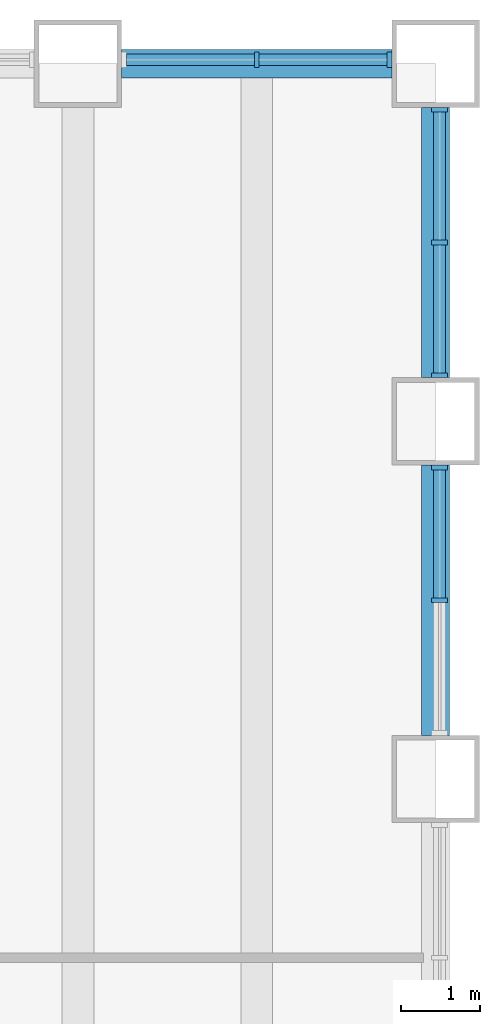
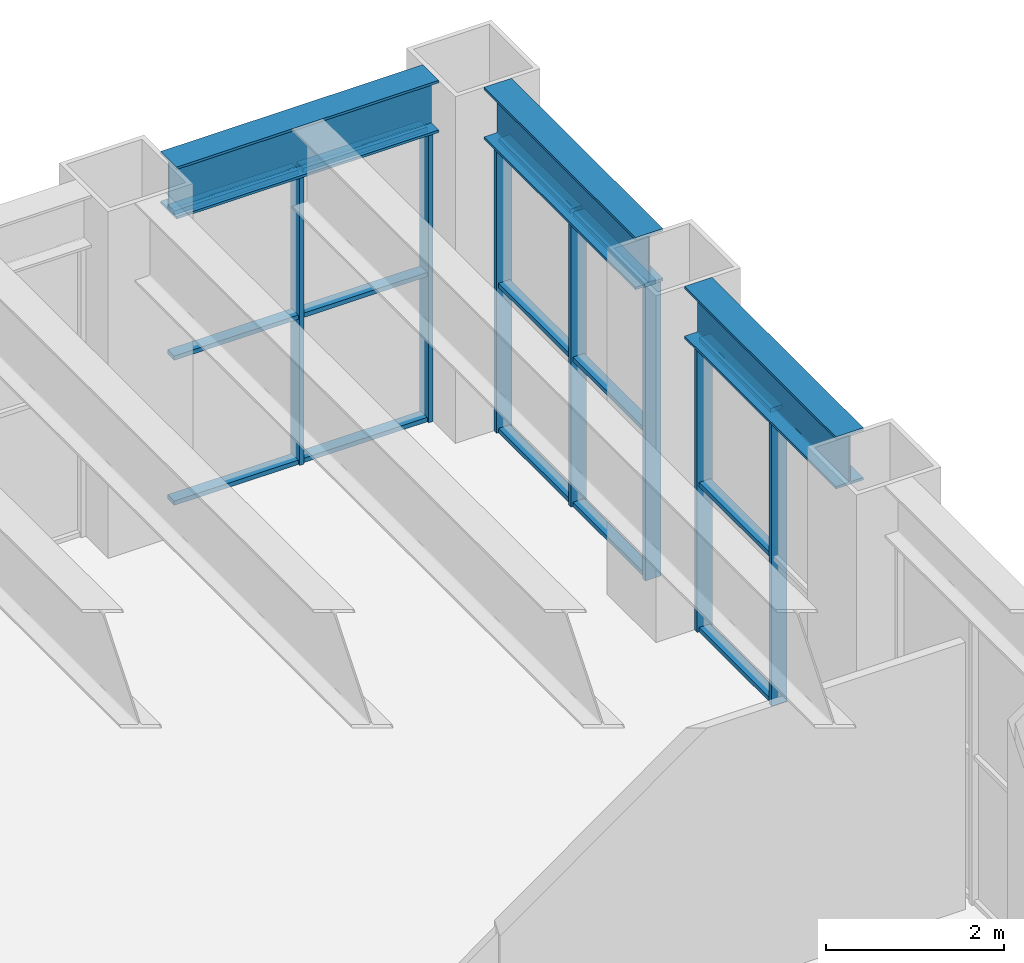
# One storey, part 5 of 19: 22 members, 3 beams, 3 elements without a shape of their own.
"""IFC4 building model written with IfcOpenShell, lengths in metres."""

import ifcopenshell
import ifcopenshell.guid

model = None  # the IFC model being written
_history = None  # IfcOwnerHistory: only IFC2X3 demands one
_inside = {}  # id of a spatial element -> (the spatial element, [elements in it])
_under = {}  # id of a project, library or spatial element -> (it, [spatial elements below it])
_declared = {}  # id of a project -> (the project, [libraries it declares])
_typed = {}  # id of a type object -> (the type object, [elements of that type])
_made_of = {}  # id of a material, layer set ... -> (it, [elements and type objects made of it])


def new_model(schema):
    """Start an empty IFC model of exactly this schema.

    Asked for "IFC4X3", IfcOpenShell would pick the latest addendum, in which some entities
    have other attributes; the version numbers below select the first issue.
    IFC2X3 requires an IfcOwnerHistory on every rooted entity: one is made here for all.
    """
    global model, _history
    if schema == "IFC4X3":
        model = ifcopenshell.file(schema_version=(4, 3, 0, 0))
    else:
        model = ifcopenshell.file(schema=schema)
    _inside.clear()
    _under.clear()
    _declared.clear()
    _typed.clear()
    _made_of.clear()
    _history = None
    if model.schema == "IFC2X3":
        org = make("IfcOrganization", Name="unknown")
        user = make(
            "IfcPersonAndOrganization",
            ThePerson=make("IfcPerson", FamilyName="unknown"),
            TheOrganization=org,
        )
        app = make(
            "IfcApplication",
            ApplicationDeveloper=org,
            Version="unknown",
            ApplicationFullName="unknown",
            ApplicationIdentifier="unknown",
        )
        _history = make(
            "IfcOwnerHistory",
            OwningUser=user,
            OwningApplication=app,
            ChangeAction="ADDED",
            CreationDate=0,
        )
    return model


def make(cls, **values):
    """One entity of the class cls with the attributes given. An attribute that is None is left unset."""
    return model.create_entity(
        cls, **{name: value for name, value in values.items() if value is not None}
    )


def rooted(cls, **values):
    """An entity with a GlobalId (a new one), such as an element, a storey or a relation."""
    return make(cls, GlobalId=ifcopenshell.guid.new(), OwnerHistory=_history, **values)


def si_unit(unit_type, name, prefix=None):
    """IfcSIUnit, for example si_unit("LENGTHUNIT", "METRE", prefix="MILLI")."""
    return make("IfcSIUnit", UnitType=unit_type, Prefix=prefix, Name=name)


def assignment(units):
    """IfcUnitAssignment: the units of a project."""
    return None if units is None else make("IfcUnitAssignment", Units=units)


def point(xyz):
    """IfcCartesianPoint."""
    return None if xyz is None else make("IfcCartesianPoint", Coordinates=xyz)


def direction(xyz):
    """IfcDirection."""
    return None if xyz is None else make("IfcDirection", DirectionRatios=xyz)


def frame(location, z_axis=None, x_axis=None):
    """IfcAxis2Placement3D, a coordinate frame: its origin and axes. An axis left out is left unset."""
    return make(
        "IfcAxis2Placement3D",
        Location=point(location),
        Axis=direction(z_axis),
        RefDirection=direction(x_axis),
    )


def frame_2d(location, x_axis=None):
    """IfcAxis2Placement2D, a coordinate frame in the plane: its origin and x axis."""
    return make(
        "IfcAxis2Placement2D", Location=point(location), RefDirection=direction(x_axis)
    )


def origin():
    """The frame at (0, 0, 0) with its axes left unset."""
    return frame((0.0, 0.0, 0.0))


def origin_2d():
    """The frame at (0, 0) in the plane with its x axis left unset."""
    return frame_2d((0.0, 0.0))


def place(relative_to, where):
    """IfcLocalPlacement: puts the frame where relative to a parent placement (None: the world)."""
    return make(
        "IfcLocalPlacement", PlacementRelTo=relative_to, RelativePlacement=where
    )


def context(
    kind, dimensions, precision=None, world=None, true_north=None, identifier=None
):
    """IfcGeometricRepresentationContext, for example the 3D "Model" context."""
    return make(
        "IfcGeometricRepresentationContext",
        ContextIdentifier=identifier,
        ContextType=kind,
        CoordinateSpaceDimension=dimensions,
        Precision=precision,
        WorldCoordinateSystem=world,
        TrueNorth=true_north,
    )


def subcontext(parent, identifier, kind, view, scale=None):
    """IfcGeometricRepresentationSubContext, for example "Body" below "Model"."""
    return make(
        "IfcGeometricRepresentationSubContext",
        ContextIdentifier=identifier,
        ContextType=kind,
        ParentContext=parent,
        TargetScale=scale,
        TargetView=view,
    )


def project(units=None, contexts=None):
    """IfcProject with its units and contexts."""
    return rooted(
        "IfcProject",
        Name="project",
        RepresentationContexts=contexts,
        UnitsInContext=assignment(units),
    )


def spatial(cls, under=None, at=None, **own):
    """A site, building, storey or space (cls), placed at a placement, below another one or the project."""
    s = rooted(cls, ObjectPlacement=at, **own)
    if under is not None:
        _under.setdefault(under.id(), (under, []))[1].append(s)
    return s


def profile(cls, at=None, kind="AREA", **sizes):
    """A parametric profile (cls). Its sizes go by their IFC names, for example OverallWidth=200.0."""
    return make(cls, ProfileType=kind, Position=at, **sizes)


def rectangle(**sizes):
    """IfcRectangleProfileDef."""
    return profile("IfcRectangleProfileDef", **sizes)


def i_section(**sizes):
    """IfcIShapeProfileDef."""
    return profile("IfcIShapeProfileDef", **sizes)


def extrude(swept, where, along, depth):
    """IfcExtrudedAreaSolid: the profile swept, set in the frame where, extruded along a direction by depth."""
    return make(
        "IfcExtrudedAreaSolid",
        SweptArea=swept,
        Position=where,
        ExtrudedDirection=direction(along),
        Depth=depth,
    )


def shape(context_of_items, identifier, shape_type, items):
    """IfcShapeRepresentation: the items that make up one representation, for example the "Body"."""
    return make(
        "IfcShapeRepresentation",
        ContextOfItems=context_of_items,
        RepresentationIdentifier=identifier,
        RepresentationType=shape_type,
        Items=items,
    )


def material(Name=None, Category=None):
    """IfcMaterial."""
    return make("IfcMaterial", Name=Name, Category=Category)


def material_profile(
    of_material, cross_section, Name=None, Category=None, Priority=None
):
    """IfcMaterialProfile: a cross section and its material."""
    return make(
        "IfcMaterialProfile",
        Name=Name,
        Material=of_material,
        Profile=cross_section,
        Priority=Priority,
        Category=Category,
    )


def profile_set(profiles, Name=None, composite=None):
    """IfcMaterialProfileSet."""
    return make(
        "IfcMaterialProfileSet",
        Name=Name,
        MaterialProfiles=profiles,
        CompositeProfile=composite,
    )


def made_of(thing, what):
    """Note that an element or type object is made of a material, layer set ...; save() writes the relation."""
    if what is not None:
        _made_of.setdefault(what.id(), (what, []))[1].append(thing)
    return thing


def type_object(cls, material=None, **own):
    """A type object (cls), such as IfcWallType, which elements share."""
    return made_of(rooted(cls, **own), material)


def element(
    cls,
    number,
    at=None,
    inside=None,
    cuts=None,
    type_object=None,
    material=None,
    context=None,
    identifier="Body",
    shape_type=None,
    held_by="IfcProductDefinitionShape",
    body=None,
    shapes=None,
    **own,
):
    """One element of the class cls, such as IfcWall. Its Tag is "e" and its number.

    at: its placement. inside: the storey or other place that contains it. cuts: it is an
    opening in that element (IfcRelVoidsElement). A single representation is given by context,
    identifier, shape_type and body (its items); several are given by shapes. held_by: the class
    of the entity that holds the representations. save() writes the other relations.
    """
    e = rooted(cls, Tag="e%d" % number, ObjectPlacement=at, **own)
    if body is not None:
        shapes = [shape(context, identifier, shape_type, body)]
    if shapes is not None:
        e.Representation = make(held_by, Representations=shapes)
    if inside is not None:
        _inside.setdefault(inside.id(), (inside, []))[1].append(e)
    if cuts is not None:
        rooted(
            "IfcRelVoidsElement", RelatingBuildingElement=cuts, RelatedOpeningElement=e
        )
    if type_object is not None:
        _typed.setdefault(type_object.id(), (type_object, []))[1].append(e)
    return made_of(e, material)


def aggregate(whole, parts):
    """IfcRelAggregates: a whole, such as a stair, and the parts it consists of."""
    return rooted("IfcRelAggregates", RelatingObject=whole, RelatedObjects=parts)


def save(model, path):
    """Write the relations noted so far, then the file.

    IfcRelAggregates (storeys below a building ...), IfcRelContainedInSpatialStructure (elements
    in a storey), IfcRelDefinesByType, IfcRelAssociatesMaterial and IfcRelDeclares: one each for
    every whole, place, type object, material and project.
    """
    for whole, parts in _under.values():
        aggregate(whole, parts)
    for where, things in _inside.values():
        rooted(
            "IfcRelContainedInSpatialStructure",
            RelatedElements=things,
            RelatingStructure=where,
        )
    for kind, things in _typed.values():
        rooted("IfcRelDefinesByType", RelatedObjects=things, RelatingType=kind)
    for what, things in _made_of.values():
        rooted("IfcRelAssociatesMaterial", RelatedObjects=things, RelatingMaterial=what)
    for by, libraries in _declared.values():
        rooted("IfcRelDeclares", RelatingContext=by, RelatedDefinitions=libraries)
    model.write(path)


model = new_model("IFC4")

# Units and contexts
model_context = context("Model", 3, precision=1e-05, world=origin(), true_north=direction((0.0, 1.0)))
body_context = subcontext(model_context, "Body", "Model", "MODEL_VIEW")
ifc_project = project(units=[si_unit("LENGTHUNIT", "METRE"), si_unit("AREAUNIT", "SQUARE_METRE"), si_unit("VOLUMEUNIT", "CUBIC_METRE"), si_unit("PLANEANGLEUNIT", "RADIAN"), si_unit("MASSUNIT", "GRAM", prefix="KILO")], contexts=[model_context])

# Site, building, storey
site_placement = place(None, origin())
site = spatial("IfcSite", under=ifc_project, at=site_placement, CompositionType="ELEMENT")
building_placement = place(site_placement, origin())
building = spatial("IfcBuilding", under=site, at=building_placement, Name="Sennacour Bend Tower", CompositionType="ELEMENT")
storey_placement = place(building_placement, frame((0.0, 0.0, 14.0)))
storey = spatial("IfcBuildingStorey", under=building, at=storey_placement, Name="L02", CompositionType="ELEMENT", Elevation=14.0)

# Curtain wall, members
ifc_material_1 = material(Name="Bronze anodised aluminium curtain wall with clear glass", Category="aluminium")
curtain_wall_type = type_object("IfcCurtainWallType", Name="CURTAIN WALL NOTCH", PredefinedType="NOTDEFINED", material=ifc_material_1)
curtain_wall_1_placement = place(storey_placement, origin())
curtain_wall_1 = element("IfcCurtainWall", 1, at=curtain_wall_1_placement, inside=storey, type_object=curtain_wall_type, Name="Podium glass wall L02", PredefinedType="NOTDEFINED")
ifc_material_2 = material(Name="Aluminium 6063-T6", Category="aluminium")
ifc_material_profile_1 = material_profile(ifc_material_2, rectangle(XDim=0.199951171875, YDim=0.06005859375, at=origin_2d()), Name="Aluminium 6063-T6", Category="aluminium")
ifc_profile_set_1 = profile_set([ifc_material_profile_1], Name="Aluminium 6063-T6")
member_type_1 = type_object("IfcMemberType", Name="CW-MULLION-200X60", PredefinedType="MULLION", material=ifc_profile_set_1)
member_1_placement = place(storey_placement, frame((67.550048828125, 42.75, 0.0), z_axis=(0.0, 0.0, 1.0), x_axis=(-1.0, 0.0, 0.0)))
member_1 = element("IfcMember", 2, at=member_1_placement, type_object=member_type_1, Name="GW2 curtain wall mullion 2", PredefinedType="MULLION", context=body_context, shape_type="SweptSolid", body=[
    extrude(rectangle(XDim=0.199951171875, YDim=0.06005859375, at=origin_2d()), origin(), (0.0, 0.0, 1.0), 4.035888671875),
])
member_2_placement = place(storey_placement, frame((67.550048828125, 44.419921875, 0.0), z_axis=(0.0, 0.0, 1.0), x_axis=(-1.0, 0.0, 0.0)))
member_2 = element("IfcMember", 3, at=member_2_placement, type_object=member_type_1, Name="GW2 curtain wall mullion 3", PredefinedType="MULLION", context=body_context, shape_type="SweptSolid", body=[
    extrude(rectangle(XDim=0.199951171875, YDim=0.06005859375, at=origin_2d()), origin(), (0.0, 0.0, 1.0), 4.035888671875),
])

curtain_wall_2_placement = place(storey_placement, origin())
curtain_wall_2 = element("IfcCurtainWall", 4, at=curtain_wall_2_placement, inside=storey, type_object=curtain_wall_type, Name="Podium glass wall L02", PredefinedType="NOTDEFINED")
member_3_placement = place(storey_placement, frame((67.550048828125, 45.580078125, 0.0), z_axis=(0.0, 0.0, 1.0), x_axis=(-1.0, 0.0, 0.0)))
member_3 = element("IfcMember", 5, at=member_3_placement, type_object=member_type_1, Name="GW2 curtain wall mullion 1", PredefinedType="MULLION", context=body_context, shape_type="SweptSolid", body=[
    extrude(rectangle(XDim=0.199951171875, YDim=0.06005859375, at=origin_2d()), origin(), (0.0, 0.0, 1.0), 4.035888671875),
])
member_4_placement = place(storey_placement, frame((67.550048828125, 47.25, 0.0), z_axis=(0.0, 0.0, 1.0), x_axis=(-1.0, 0.0, 0.0)))
member_4 = element("IfcMember", 6, at=member_4_placement, type_object=member_type_1, Name="GW2 curtain wall mullion 2", PredefinedType="MULLION", context=body_context, shape_type="SweptSolid", body=[
    extrude(rectangle(XDim=0.199951171875, YDim=0.06005859375, at=origin_2d()), origin(), (0.0, 0.0, 1.0), 4.035888671875),
])
member_5_placement = place(storey_placement, frame((67.550048828125, 48.919921875, 0.0), z_axis=(0.0, 0.0, 1.0), x_axis=(-1.0, 0.0, 0.0)))
member_5 = element("IfcMember", 7, at=member_5_placement, type_object=member_type_1, Name="GW2 curtain wall mullion 3", PredefinedType="MULLION", context=body_context, shape_type="SweptSolid", body=[
    extrude(rectangle(XDim=0.199951171875, YDim=0.06005859375, at=origin_2d()), origin(), (0.0, 0.0, 1.0), 4.035888671875),
])

curtain_wall_3_placement = place(storey_placement, origin())
curtain_wall_3 = element("IfcCurtainWall", 8, at=curtain_wall_3_placement, inside=storey, type_object=curtain_wall_type, Name="Podium glass wall L02", PredefinedType="NOTDEFINED")
member_6_placement = place(storey_placement, frame((66.919921875, 49.550048828125, 0.0), z_axis=(0.0, 0.0, 1.0), x_axis=(0.0, -1.0, 0.0)))
member_6 = element("IfcMember", 9, at=member_6_placement, type_object=member_type_1, Name="GW2 curtain wall mullion 1", PredefinedType="MULLION", context=body_context, shape_type="SweptSolid", body=[
    extrude(rectangle(XDim=0.199951171875, YDim=0.06005859375, at=origin_2d()), origin(), (0.0, 0.0, 1.0), 4.035888671875),
])
member_7_placement = place(storey_placement, frame((65.25, 49.550048828125, 0.0), z_axis=(0.0, 0.0, 1.0), x_axis=(0.0, -1.0, 0.0)))
member_7 = element("IfcMember", 10, at=member_7_placement, type_object=member_type_1, Name="GW2 curtain wall mullion 2", PredefinedType="MULLION", context=body_context, shape_type="SweptSolid", body=[
    extrude(rectangle(XDim=0.199951171875, YDim=0.06005859375, at=origin_2d()), origin(), (0.0, 0.0, 1.0), 4.035888671875),
])

# Member
ifc_material_profile_2 = material_profile(ifc_material_2, rectangle(XDim=0.14990234375, YDim=0.06005859375, at=origin_2d()), Name="Aluminium 6063-T6", Category="aluminium")
ifc_profile_set_2 = profile_set([ifc_material_profile_2], Name="Aluminium 6063-T6")
member_type_2 = type_object("IfcMemberType", Name="CW-TRANSOM-150X60", PredefinedType="USERDEFINED", material=ifc_profile_set_2)
member_8_placement = place(storey_placement, frame((67.550048828125, 42.780029296875, 0.030029296875), z_axis=(0.0, 1.0, 0.0), x_axis=(-1.0, 0.0, 0.0)))
member_8 = element("IfcMember", 11, at=member_8_placement, type_object=member_type_2, Name="GW2 curtain wall transom 2.1", ObjectType="TRANSOM", PredefinedType="USERDEFINED", context=body_context, shape_type="SweptSolid", body=[
    extrude(rectangle(XDim=0.14990234375, YDim=0.06005859375, at=origin_2d()), origin(), (0.0, 0.0, 1.0), 1.60986328125),
])

member_9_placement = place(storey_placement, frame((67.550048828125, 42.780029296875, 2.01806640625), z_axis=(0.0, 1.0, 0.0), x_axis=(-1.0, 0.0, 0.0)))
member_9 = element("IfcMember", 12, at=member_9_placement, type_object=member_type_2, Name="GW2 curtain wall transom 2.2", ObjectType="TRANSOM", PredefinedType="USERDEFINED", context=body_context, shape_type="SweptSolid", body=[
    extrude(rectangle(XDim=0.14990234375, YDim=0.06005859375, at=origin_2d()), origin(), (0.0, 0.0, 1.0), 1.60986328125),
])

member_10_placement = place(storey_placement, frame((67.550048828125, 42.780029296875, 4.006103515625), z_axis=(0.0, 1.0, 0.0), x_axis=(-1.0, 0.0, 0.0)))
member_10 = element("IfcMember", 13, at=member_10_placement, type_object=member_type_2, Name="GW2 curtain wall transom 2.3", ObjectType="TRANSOM", PredefinedType="USERDEFINED", context=body_context, shape_type="SweptSolid", body=[
    extrude(rectangle(XDim=0.14990234375, YDim=0.06005859375, at=origin_2d()), origin(), (0.0, 0.0, 1.0), 1.60986328125),
])

aggregate(curtain_wall_1, [member_1, member_2, member_8, member_9, member_10])

member_11_placement = place(storey_placement, frame((67.550048828125, 45.610107421875, 0.030029296875), z_axis=(0.0, 1.0, 0.0), x_axis=(-1.0, 0.0, 0.0)))
member_11 = element("IfcMember", 14, at=member_11_placement, type_object=member_type_2, Name="GW2 curtain wall transom 1.1", ObjectType="TRANSOM", PredefinedType="USERDEFINED", context=body_context, shape_type="SweptSolid", body=[
    extrude(rectangle(XDim=0.14990234375, YDim=0.06005859375, at=origin_2d()), origin(), (0.0, 0.0, 1.0), 1.60986328125),
])

member_12_placement = place(storey_placement, frame((67.550048828125, 45.610107421875, 2.01806640625), z_axis=(0.0, 1.0, 0.0), x_axis=(-1.0, 0.0, 0.0)))
member_12 = element("IfcMember", 15, at=member_12_placement, type_object=member_type_2, Name="GW2 curtain wall transom 1.2", ObjectType="TRANSOM", PredefinedType="USERDEFINED", context=body_context, shape_type="SweptSolid", body=[
    extrude(rectangle(XDim=0.14990234375, YDim=0.06005859375, at=origin_2d()), origin(), (0.0, 0.0, 1.0), 1.60986328125),
])

member_13_placement = place(storey_placement, frame((67.550048828125, 45.610107421875, 4.006103515625), z_axis=(0.0, 1.0, 0.0), x_axis=(-1.0, 0.0, 0.0)))
member_13 = element("IfcMember", 16, at=member_13_placement, type_object=member_type_2, Name="GW2 curtain wall transom 1.3", ObjectType="TRANSOM", PredefinedType="USERDEFINED", context=body_context, shape_type="SweptSolid", body=[
    extrude(rectangle(XDim=0.14990234375, YDim=0.06005859375, at=origin_2d()), origin(), (0.0, 0.0, 1.0), 1.60986328125),
])

member_14_placement = place(storey_placement, frame((67.550048828125, 47.280029296875, 0.030029296875), z_axis=(0.0, 1.0, 0.0), x_axis=(-1.0, 0.0, 0.0)))
member_14 = element("IfcMember", 17, at=member_14_placement, type_object=member_type_2, Name="GW2 curtain wall transom 2.1", ObjectType="TRANSOM", PredefinedType="USERDEFINED", context=body_context, shape_type="SweptSolid", body=[
    extrude(rectangle(XDim=0.14990234375, YDim=0.06005859375, at=origin_2d()), origin(), (0.0, 0.0, 1.0), 1.60986328125),
])

member_15_placement = place(storey_placement, frame((67.550048828125, 47.280029296875, 2.01806640625), z_axis=(0.0, 1.0, 0.0), x_axis=(-1.0, 0.0, 0.0)))
member_15 = element("IfcMember", 18, at=member_15_placement, type_object=member_type_2, Name="GW2 curtain wall transom 2.2", ObjectType="TRANSOM", PredefinedType="USERDEFINED", context=body_context, shape_type="SweptSolid", body=[
    extrude(rectangle(XDim=0.14990234375, YDim=0.06005859375, at=origin_2d()), origin(), (0.0, 0.0, 1.0), 1.60986328125),
])

member_16_placement = place(storey_placement, frame((67.550048828125, 47.280029296875, 4.006103515625), z_axis=(0.0, 1.0, 0.0), x_axis=(-1.0, 0.0, 0.0)))
member_16 = element("IfcMember", 19, at=member_16_placement, type_object=member_type_2, Name="GW2 curtain wall transom 2.3", ObjectType="TRANSOM", PredefinedType="USERDEFINED", context=body_context, shape_type="SweptSolid", body=[
    extrude(rectangle(XDim=0.14990234375, YDim=0.06005859375, at=origin_2d()), origin(), (0.0, 0.0, 1.0), 1.60986328125),
])

aggregate(curtain_wall_2, [member_3, member_4, member_5, member_11, member_12, member_13, member_14, member_15, member_16])

member_17_placement = place(storey_placement, frame((66.889892578125, 49.550048828125, 0.030029296875), z_axis=(-1.0, 0.0, 0.0), x_axis=(0.0, -1.0, 0.0)))
member_17 = element("IfcMember", 20, at=member_17_placement, type_object=member_type_2, Name="GW2 curtain wall transom 1.1", ObjectType="TRANSOM", PredefinedType="USERDEFINED", context=body_context, shape_type="SweptSolid", body=[
    extrude(rectangle(XDim=0.14990234375, YDim=0.06005859375, at=origin_2d()), origin(), (0.0, 0.0, 1.0), 1.60986328125),
])

member_18_placement = place(storey_placement, frame((66.889892578125, 49.550048828125, 2.01806640625), z_axis=(-1.0, 0.0, 0.0), x_axis=(0.0, -1.0, 0.0)))
member_18 = element("IfcMember", 21, at=member_18_placement, type_object=member_type_2, Name="GW2 curtain wall transom 1.2", ObjectType="TRANSOM", PredefinedType="USERDEFINED", context=body_context, shape_type="SweptSolid", body=[
    extrude(rectangle(XDim=0.14990234375, YDim=0.06005859375, at=origin_2d()), origin(), (0.0, 0.0, 1.0), 1.60986328125),
])

member_19_placement = place(storey_placement, frame((66.889892578125, 49.550048828125, 4.006103515625), z_axis=(-1.0, 0.0, 0.0), x_axis=(0.0, -1.0, 0.0)))
member_19 = element("IfcMember", 22, at=member_19_placement, type_object=member_type_2, Name="GW2 curtain wall transom 1.3", ObjectType="TRANSOM", PredefinedType="USERDEFINED", context=body_context, shape_type="SweptSolid", body=[
    extrude(rectangle(XDim=0.14990234375, YDim=0.06005859375, at=origin_2d()), origin(), (0.0, 0.0, 1.0), 1.60986328125),
])

member_20_placement = place(storey_placement, frame((65.219970703125, 49.550048828125, 0.030029296875), z_axis=(-1.0, 0.0, 0.0), x_axis=(0.0, -1.0, 0.0)))
member_20 = element("IfcMember", 23, at=member_20_placement, type_object=member_type_2, Name="GW2 curtain wall transom 2.1", ObjectType="TRANSOM", PredefinedType="USERDEFINED", context=body_context, shape_type="SweptSolid", body=[
    extrude(rectangle(XDim=0.14990234375, YDim=0.06005859375, at=origin_2d()), origin(), (0.0, 0.0, 1.0), 1.60986328125),
])

member_21_placement = place(storey_placement, frame((65.219970703125, 49.550048828125, 2.01806640625), z_axis=(-1.0, 0.0, 0.0), x_axis=(0.0, -1.0, 0.0)))
member_21 = element("IfcMember", 24, at=member_21_placement, type_object=member_type_2, Name="GW2 curtain wall transom 2.2", ObjectType="TRANSOM", PredefinedType="USERDEFINED", context=body_context, shape_type="SweptSolid", body=[
    extrude(rectangle(XDim=0.14990234375, YDim=0.06005859375, at=origin_2d()), origin(), (0.0, 0.0, 1.0), 1.60986328125),
])

member_22_placement = place(storey_placement, frame((65.219970703125, 49.550048828125, 4.006103515625), z_axis=(-1.0, 0.0, 0.0), x_axis=(0.0, -1.0, 0.0)))
member_22 = element("IfcMember", 25, at=member_22_placement, type_object=member_type_2, Name="GW2 curtain wall transom 2.3", ObjectType="TRANSOM", PredefinedType="USERDEFINED", context=body_context, shape_type="SweptSolid", body=[
    extrude(rectangle(XDim=0.14990234375, YDim=0.06005859375, at=origin_2d()), origin(), (0.0, 0.0, 1.0), 1.60986328125),
])

aggregate(curtain_wall_3, [member_6, member_7, member_17, member_18, member_19, member_20, member_21, member_22])

# Beams
ifc_material_3 = material(Name="Steel ASTM A992 Grade 50", Category="steel")
ifc_material_profile_3 = material_profile(ifc_material_3, i_section(OverallWidth=0.35595703125, OverallDepth=0.714111328125, WebThickness=0.01904296875, FlangeThickness=0.033935546875, FilletRadius=0.02001953125, at=origin_2d()), Name="Steel ASTM A992 Grade 50", Category="steel")
ifc_profile_set_3 = profile_set([ifc_material_profile_3], Name="Steel ASTM A992 Grade 50")
beam_type = type_object("IfcBeamType", Name="Spandrel beam W690X289", PredefinedType="SPANDREL", material=ifc_profile_set_3)
for number, where, z_axis, x_axis, name in (
    (26, (67.5, 41.050048828125, 4.39306640625), (0.0, 1.0, 0.0), (-1.0, 0.0, 0.0), "Spandrel beam SP1 L03-004"),
    (27, (67.5, 45.550048828125, 4.39306640625), (0.0, 1.0, 0.0), (-1.0, 0.0, 0.0), "Spandrel beam SP1 L03-005"),
    (28, (66.949951171875, 49.5, 4.39306640625), (-1.0, 0.0, 0.0), (0.0, -1.0, 0.0), "Spandrel beam SP1 L03-006"),
):
    element("IfcBeam", number, at=place(storey_placement, frame(where, z_axis=z_axis, x_axis=x_axis)), inside=storey, type_object=beam_type, Name=name, PredefinedType="SPANDREL", context=body_context, shape_type="SweptSolid", body=[
        extrude(i_section(OverallWidth=0.35595703125, OverallDepth=0.714111328125, WebThickness=0.01904296875, FlangeThickness=0.033935546875, FilletRadius=0.02001953125, at=origin_2d()), origin(), (0.0, 0.0, 1.0), 3.39990234375),
    ])

save(model, "model.ifc")
